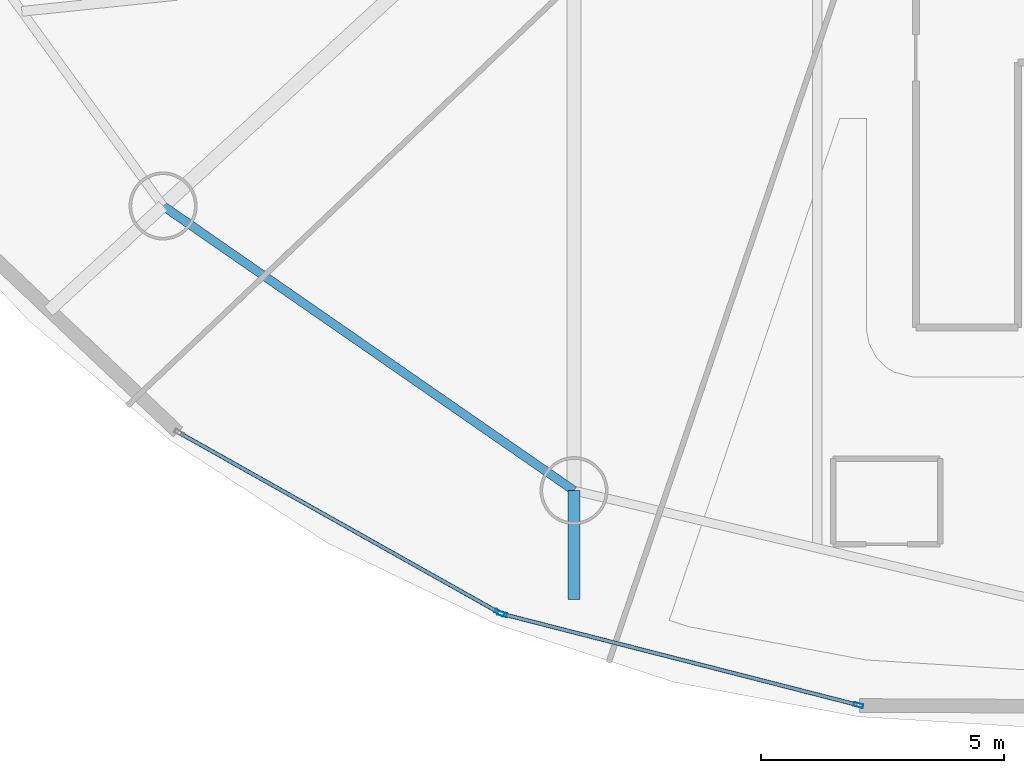
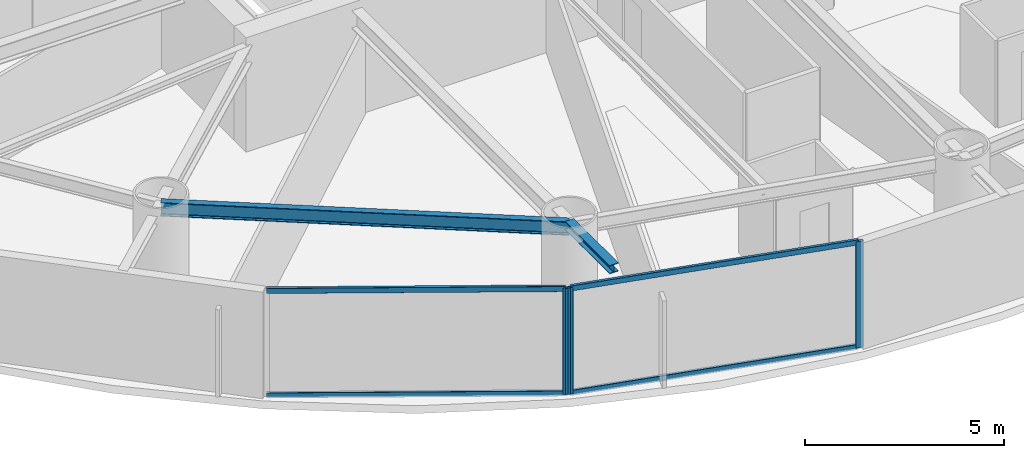
# One storey, part 3 of 22: 7 members, 2 beams, 2 elements without a shape of their own.
"""IFC4 building model written with IfcOpenShell, lengths in metres."""

import ifcopenshell
import ifcopenshell.guid

model = None  # the IFC model being written
_history = None  # IfcOwnerHistory: only IFC2X3 demands one
_inside = {}  # id of a spatial element -> (the spatial element, [elements in it])
_under = {}  # id of a project, library or spatial element -> (it, [spatial elements below it])
_declared = {}  # id of a project -> (the project, [libraries it declares])
_typed = {}  # id of a type object -> (the type object, [elements of that type])
_made_of = {}  # id of a material, layer set ... -> (it, [elements and type objects made of it])


def new_model(schema):
    """Start an empty IFC model of exactly this schema.

    Asked for "IFC4X3", IfcOpenShell would pick the latest addendum, in which some entities
    have other attributes; the version numbers below select the first issue.
    IFC2X3 requires an IfcOwnerHistory on every rooted entity: one is made here for all.
    """
    global model, _history
    if schema == "IFC4X3":
        model = ifcopenshell.file(schema_version=(4, 3, 0, 0))
    else:
        model = ifcopenshell.file(schema=schema)
    _inside.clear()
    _under.clear()
    _declared.clear()
    _typed.clear()
    _made_of.clear()
    _history = None
    if model.schema == "IFC2X3":
        org = make("IfcOrganization", Name="unknown")
        user = make(
            "IfcPersonAndOrganization",
            ThePerson=make("IfcPerson", FamilyName="unknown"),
            TheOrganization=org,
        )
        app = make(
            "IfcApplication",
            ApplicationDeveloper=org,
            Version="unknown",
            ApplicationFullName="unknown",
            ApplicationIdentifier="unknown",
        )
        _history = make(
            "IfcOwnerHistory",
            OwningUser=user,
            OwningApplication=app,
            ChangeAction="ADDED",
            CreationDate=0,
        )
    return model


def make(cls, **values):
    """One entity of the class cls with the attributes given. An attribute that is None is left unset."""
    return model.create_entity(
        cls, **{name: value for name, value in values.items() if value is not None}
    )


def rooted(cls, **values):
    """An entity with a GlobalId (a new one), such as an element, a storey or a relation."""
    return make(cls, GlobalId=ifcopenshell.guid.new(), OwnerHistory=_history, **values)


def si_unit(unit_type, name, prefix=None):
    """IfcSIUnit, for example si_unit("LENGTHUNIT", "METRE", prefix="MILLI")."""
    return make("IfcSIUnit", UnitType=unit_type, Prefix=prefix, Name=name)


def assignment(units):
    """IfcUnitAssignment: the units of a project."""
    return None if units is None else make("IfcUnitAssignment", Units=units)


def point(xyz):
    """IfcCartesianPoint."""
    return None if xyz is None else make("IfcCartesianPoint", Coordinates=xyz)


def direction(xyz):
    """IfcDirection."""
    return None if xyz is None else make("IfcDirection", DirectionRatios=xyz)


def frame(location, z_axis=None, x_axis=None):
    """IfcAxis2Placement3D, a coordinate frame: its origin and axes. An axis left out is left unset."""
    return make(
        "IfcAxis2Placement3D",
        Location=point(location),
        Axis=direction(z_axis),
        RefDirection=direction(x_axis),
    )


def frame_2d(location, x_axis=None):
    """IfcAxis2Placement2D, a coordinate frame in the plane: its origin and x axis."""
    return make(
        "IfcAxis2Placement2D", Location=point(location), RefDirection=direction(x_axis)
    )


def origin():
    """The frame at (0, 0, 0) with its axes left unset."""
    return frame((0.0, 0.0, 0.0))


def origin_2d():
    """The frame at (0, 0) in the plane with its x axis left unset."""
    return frame_2d((0.0, 0.0))


def place(relative_to, where):
    """IfcLocalPlacement: puts the frame where relative to a parent placement (None: the world)."""
    return make(
        "IfcLocalPlacement", PlacementRelTo=relative_to, RelativePlacement=where
    )


def context(
    kind, dimensions, precision=None, world=None, true_north=None, identifier=None
):
    """IfcGeometricRepresentationContext, for example the 3D "Model" context."""
    return make(
        "IfcGeometricRepresentationContext",
        ContextIdentifier=identifier,
        ContextType=kind,
        CoordinateSpaceDimension=dimensions,
        Precision=precision,
        WorldCoordinateSystem=world,
        TrueNorth=true_north,
    )


def subcontext(parent, identifier, kind, view, scale=None):
    """IfcGeometricRepresentationSubContext, for example "Body" below "Model"."""
    return make(
        "IfcGeometricRepresentationSubContext",
        ContextIdentifier=identifier,
        ContextType=kind,
        ParentContext=parent,
        TargetScale=scale,
        TargetView=view,
    )


def project(units=None, contexts=None):
    """IfcProject with its units and contexts."""
    return rooted(
        "IfcProject",
        Name="project",
        RepresentationContexts=contexts,
        UnitsInContext=assignment(units),
    )


def spatial(cls, under=None, at=None, **own):
    """A site, building, storey or space (cls), placed at a placement, below another one or the project."""
    s = rooted(cls, ObjectPlacement=at, **own)
    if under is not None:
        _under.setdefault(under.id(), (under, []))[1].append(s)
    return s


def profile(cls, at=None, kind="AREA", **sizes):
    """A parametric profile (cls). Its sizes go by their IFC names, for example OverallWidth=200.0."""
    return make(cls, ProfileType=kind, Position=at, **sizes)


def hollow_rectangle(**sizes):
    """IfcRectangleHollowProfileDef."""
    return profile("IfcRectangleHollowProfileDef", **sizes)


def i_section(**sizes):
    """IfcIShapeProfileDef."""
    return profile("IfcIShapeProfileDef", **sizes)


def extrude(swept, where, along, depth):
    """IfcExtrudedAreaSolid: the profile swept, set in the frame where, extruded along a direction by depth."""
    return make(
        "IfcExtrudedAreaSolid",
        SweptArea=swept,
        Position=where,
        ExtrudedDirection=direction(along),
        Depth=depth,
    )


def shape(context_of_items, identifier, shape_type, items):
    """IfcShapeRepresentation: the items that make up one representation, for example the "Body"."""
    return make(
        "IfcShapeRepresentation",
        ContextOfItems=context_of_items,
        RepresentationIdentifier=identifier,
        RepresentationType=shape_type,
        Items=items,
    )


def material(Name=None, Category=None):
    """IfcMaterial."""
    return make("IfcMaterial", Name=Name, Category=Category)


def layer(
    of_material, thickness, ventilated=None, Name=None, Category=None, Priority=None
):
    """IfcMaterialLayer: one layer of a wall or slab, of a material (None: an air gap)."""
    return make(
        "IfcMaterialLayer",
        Material=of_material,
        LayerThickness=thickness,
        IsVentilated=ventilated,
        Name=Name,
        Category=Category,
        Priority=Priority,
    )


def layer_set(layers, Name=None):
    """IfcMaterialLayerSet."""
    return make("IfcMaterialLayerSet", MaterialLayers=layers, LayerSetName=Name)


def material_profile(
    of_material, cross_section, Name=None, Category=None, Priority=None
):
    """IfcMaterialProfile: a cross section and its material."""
    return make(
        "IfcMaterialProfile",
        Name=Name,
        Material=of_material,
        Profile=cross_section,
        Priority=Priority,
        Category=Category,
    )


def profile_set(profiles, Name=None, composite=None):
    """IfcMaterialProfileSet."""
    return make(
        "IfcMaterialProfileSet",
        Name=Name,
        MaterialProfiles=profiles,
        CompositeProfile=composite,
    )


def made_of(thing, what):
    """Note that an element or type object is made of a material, layer set ...; save() writes the relation."""
    if what is not None:
        _made_of.setdefault(what.id(), (what, []))[1].append(thing)
    return thing


def type_object(cls, material=None, **own):
    """A type object (cls), such as IfcWallType, which elements share."""
    return made_of(rooted(cls, **own), material)


def element(
    cls,
    number,
    at=None,
    inside=None,
    cuts=None,
    type_object=None,
    material=None,
    context=None,
    identifier="Body",
    shape_type=None,
    held_by="IfcProductDefinitionShape",
    body=None,
    shapes=None,
    **own,
):
    """One element of the class cls, such as IfcWall. Its Tag is "e" and its number.

    at: its placement. inside: the storey or other place that contains it. cuts: it is an
    opening in that element (IfcRelVoidsElement). A single representation is given by context,
    identifier, shape_type and body (its items); several are given by shapes. held_by: the class
    of the entity that holds the representations. save() writes the other relations.
    """
    e = rooted(cls, Tag="e%d" % number, ObjectPlacement=at, **own)
    if body is not None:
        shapes = [shape(context, identifier, shape_type, body)]
    if shapes is not None:
        e.Representation = make(held_by, Representations=shapes)
    if inside is not None:
        _inside.setdefault(inside.id(), (inside, []))[1].append(e)
    if cuts is not None:
        rooted(
            "IfcRelVoidsElement", RelatingBuildingElement=cuts, RelatedOpeningElement=e
        )
    if type_object is not None:
        _typed.setdefault(type_object.id(), (type_object, []))[1].append(e)
    return made_of(e, material)


def aggregate(whole, parts):
    """IfcRelAggregates: a whole, such as a stair, and the parts it consists of."""
    return rooted("IfcRelAggregates", RelatingObject=whole, RelatedObjects=parts)


def save(model, path):
    """Write the relations noted so far, then the file.

    IfcRelAggregates (storeys below a building ...), IfcRelContainedInSpatialStructure (elements
    in a storey), IfcRelDefinesByType, IfcRelAssociatesMaterial and IfcRelDeclares: one each for
    every whole, place, type object, material and project.
    """
    for whole, parts in _under.values():
        aggregate(whole, parts)
    for where, things in _inside.values():
        rooted(
            "IfcRelContainedInSpatialStructure",
            RelatedElements=things,
            RelatingStructure=where,
        )
    for kind, things in _typed.values():
        rooted("IfcRelDefinesByType", RelatedObjects=things, RelatingType=kind)
    for what, things in _made_of.values():
        rooted("IfcRelAssociatesMaterial", RelatedObjects=things, RelatingMaterial=what)
    for by, libraries in _declared.values():
        rooted("IfcRelDeclares", RelatingContext=by, RelatedDefinitions=libraries)
    model.write(path)


model = new_model("IFC4")

# Units and contexts
model_context = context("Model", 3, precision=1e-05, world=origin(), true_north=direction((0.0, 1.0)))
body_context = subcontext(model_context, "Body", "Model", "MODEL_VIEW")
ifc_project = project(units=[si_unit("LENGTHUNIT", "METRE"), si_unit("AREAUNIT", "SQUARE_METRE"), si_unit("VOLUMEUNIT", "CUBIC_METRE"), si_unit("PLANEANGLEUNIT", "RADIAN"), si_unit("MASSUNIT", "GRAM", prefix="KILO")], contexts=[model_context])

# Site, building, storey
site_placement = place(None, origin())
site = spatial("IfcSite", under=ifc_project, at=site_placement, CompositionType="ELEMENT")
building_placement = place(site_placement, origin())
building = spatial("IfcBuilding", under=site, at=building_placement, Name="Bramvorn Convention Spire", CompositionType="ELEMENT")
storey_placement = place(building_placement, frame((0.0, 0.0, 120.300048828125)))
storey = spatial("IfcBuildingStorey", under=building, at=storey_placement, Name="L29", CompositionType="ELEMENT", Elevation=120.300048828125)

# Beams
ifc_material_1 = material(Name="Steel CSA G40.21 Grade 350 (350W)", Category="steel")
ifc_material_profile_1 = material_profile(ifc_material_1, i_section(OverallWidth=0.25390625, OverallDepth=0.2529296875, WebThickness=0.008544921875, FlangeThickness=0.01416015625, FilletRadius=0.011962890625, at=origin_2d()))
ifc_profile_set_1 = profile_set([ifc_material_profile_1], Name="Steel CSA G40.21 Grade 350 (350W) - W250X73")
beam_type_1 = type_object("IfcBeamType", Name="BM-W250X73", PredefinedType="BEAM", material=ifc_profile_set_1)
beam_1_placement = place(storey_placement, frame((29.917236328125, 7.845947265625, 3.133544921875), z_axis=(0.0, -1.0, 0.0), x_axis=(1.0, 0.0, 0.0)))
element("IfcBeam", 1, at=beam_1_placement, inside=storey, type_object=beam_type_1, Name="L29 slab-edge cantilever tip beam MC13", PredefinedType="BEAM", context=body_context, shape_type="SweptSolid", body=[
    extrude(i_section(OverallWidth=0.25390625, OverallDepth=0.2529296875, WebThickness=0.008544921875, FlangeThickness=0.01416015625, FilletRadius=0.011962890625, at=origin_2d()), origin(), (0.0, 0.0, 1.0), 2.239013671875),
])
ifc_material_profile_2 = material_profile(ifc_material_1, i_section(OverallWidth=0.180908203125, OverallDepth=0.4169921875, WebThickness=0.010986328125, FlangeThickness=0.018310546875, FilletRadius=0.01611328125, at=origin_2d()))
ifc_profile_set_2 = profile_set([ifc_material_profile_2], Name="Steel CSA G40.21 Grade 350 (350W) - W410X85")
beam_type_2 = type_object("IfcBeamType", Name="BM-W410X85", PredefinedType="JOIST", material=ifc_profile_set_2)
beam_2_placement = place(storey_placement, frame((21.465087890625, 13.700927734375, 3.051513671875), z_axis=(0.822033166673, -0.569439613032, 0.0), x_axis=(0.569439613032, 0.822033166673, 0.0)))
element("IfcBeam", 2, at=beam_2_placement, inside=storey, type_object=beam_type_2, Name="L29 mega-column ring beam 12", PredefinedType="JOIST", context=body_context, shape_type="SweptSolid", body=[
    extrude(i_section(OverallWidth=0.180908203125, OverallDepth=0.4169921875, WebThickness=0.010986328125, FlangeThickness=0.018310546875, FilletRadius=0.01611328125, at=origin_2d()), origin(), (0.0, 0.0, 1.0), 10.281982421875),
])

# Curtain wall, member
ifc_material_2 = material(Name="Anodised Bronze Unitised Curtain Wall", Category="aluminium")
ifc_layer = layer(ifc_material_2, 0.179931640625)
ifc_layer_set = layer_set([ifc_layer], Name="Anodised Bronze Unitised Curtain Wall - CW-HTL-FRIT")
curtain_wall_type = type_object("IfcCurtainWallType", Name="CW-HTL-FRIT", PredefinedType="USERDEFINED", material=ifc_layer_set)
curtain_wall_1_placement = place(storey_placement, origin())
curtain_wall_1 = element("IfcCurtainWall", 3, at=curtain_wall_1_placement, inside=storey, type_object=curtain_wall_type, Name="L29 fritted glass curtain wall 18", ObjectType="UNITISED CURTAIN WALL", PredefinedType="USERDEFINED")
ifc_material_3 = material(Name="Anodised Bronze Aluminium 6063-T6", Category="aluminium")
ifc_material_profile_3 = material_profile(ifc_material_3, hollow_rectangle(XDim=0.080078125, YDim=0.199951171875, WallThickness=0.00390625, InnerFilletRadius=0.0009765625, OuterFilletRadius=0.00390625, at=origin_2d()))
ifc_profile_set_3 = profile_set([ifc_material_profile_3], Name="Anodised Bronze Aluminium 6063-T6 - CWM80X200")
member_type_1 = type_object("IfcMemberType", Name="CW-MUL-180", PredefinedType="MULLION", material=ifc_profile_set_3)
member_1_placement = place(storey_placement, frame((28.386962890625, 5.330322265625, 0.0), z_axis=(0.0, 0.0, 1.0), x_axis=(-0.490107284119, -0.871662119203, 0.0)))
member_1 = element("IfcMember", 4, at=member_1_placement, type_object=member_type_1, Name="CW2 mullion 1", PredefinedType="MULLION", context=body_context, shape_type="SweptSolid", body=[
    extrude(hollow_rectangle(XDim=0.080078125, YDim=0.199951171875, WallThickness=0.00390625, InnerFilletRadius=0.0009765625, OuterFilletRadius=0.00390625, at=origin_2d()), origin(), (0.0, 0.0, 1.0), 3.260009765625),
])

# Curtain wall, members
curtain_wall_2_placement = place(storey_placement, origin())
curtain_wall_2 = element("IfcCurtainWall", 5, at=curtain_wall_2_placement, inside=storey, type_object=curtain_wall_type, Name="L29 fritted glass curtain wall 19", ObjectType="UNITISED CURTAIN WALL", PredefinedType="USERDEFINED")
member_2_placement = place(storey_placement, frame((35.763671875, 3.434814453125, 0.0), z_axis=(0.0, 0.0, 1.0), x_axis=(-0.247878810446, -0.968791048334, 0.0)))
member_2 = element("IfcMember", 6, at=member_2_placement, type_object=member_type_1, Name="CW2 mullion 1", PredefinedType="MULLION", context=body_context, shape_type="SweptSolid", body=[
    extrude(hollow_rectangle(XDim=0.080078125, YDim=0.199951171875, WallThickness=0.00390625, InnerFilletRadius=0.0009765625, OuterFilletRadius=0.00390625, at=origin_2d()), origin(), (0.0, 0.0, 1.0), 3.260009765625),
])
member_3_placement = place(storey_placement, frame((28.442138671875, 5.308349609375, 0.0), z_axis=(0.0, 0.0, 1.0), x_axis=(-0.247878810446, -0.968791048334, 0.0)))
member_3 = element("IfcMember", 7, at=member_3_placement, type_object=member_type_1, Name="CW2 mullion 2", PredefinedType="MULLION", context=body_context, shape_type="SweptSolid", body=[
    extrude(hollow_rectangle(XDim=0.080078125, YDim=0.199951171875, WallThickness=0.00390625, InnerFilletRadius=0.0009765625, OuterFilletRadius=0.00390625, at=origin_2d()), origin(), (0.0, 0.0, 1.0), 3.260009765625),
])

# Member
ifc_material_profile_4 = material_profile(ifc_material_3, hollow_rectangle(XDim=0.080078125, YDim=0.159912109375, WallThickness=0.00390625, InnerFilletRadius=0.0009765625, OuterFilletRadius=0.00390625, at=origin_2d()))
ifc_profile_set_4 = profile_set([ifc_material_profile_4], Name="Anodised Bronze Aluminium 6063-T6 - CWT80X160")
member_type_2 = type_object("IfcMemberType", Name="CW-TRN-150", PredefinedType="USERDEFINED", material=ifc_profile_set_4)
member_4_placement = place(storey_placement, frame((28.36083984375, 5.34521484375, 0.030029296875), z_axis=(-0.871666832415, 0.490098901516, 0.0), x_axis=(-0.490098901516, -0.871666832415, 0.0)))
member_4 = element("IfcMember", 8, at=member_4_placement, type_object=member_type_2, Name="CW2 transom 1.1", ObjectType="TRANSOM", PredefinedType="USERDEFINED", context=body_context, shape_type="SweptSolid", body=[
    extrude(hollow_rectangle(XDim=0.080078125, YDim=0.159912109375, WallThickness=0.00390625, InnerFilletRadius=0.0009765625, OuterFilletRadius=0.00390625, at=origin_2d()), origin(), (0.0, 0.0, 1.0), 7.49755859375),
])

member_5_placement = place(storey_placement, frame((28.36083984375, 5.34521484375, 3.22998046875), z_axis=(-0.871666832415, 0.490098901516, 0.0), x_axis=(-0.490098901516, -0.871666832415, 0.0)))
member_5 = element("IfcMember", 9, at=member_5_placement, type_object=member_type_2, Name="CW2 transom 1.2", ObjectType="TRANSOM", PredefinedType="USERDEFINED", context=body_context, shape_type="SweptSolid", body=[
    extrude(hollow_rectangle(XDim=0.080078125, YDim=0.159912109375, WallThickness=0.00390625, InnerFilletRadius=0.0009765625, OuterFilletRadius=0.00390625, at=origin_2d()), origin(), (0.0, 0.0, 1.0), 7.49755859375),
])

aggregate(curtain_wall_1, [member_1, member_4, member_5])

member_6_placement = place(storey_placement, frame((35.734619140625, 3.4423828125, 0.030029296875), z_axis=(-0.968792703264, 0.24787234235, 0.0), x_axis=(-0.24787234235, -0.968792703264, 0.0)))
member_6 = element("IfcMember", 10, at=member_6_placement, type_object=member_type_2, Name="CW2 transom 1.1", ObjectType="TRANSOM", PredefinedType="USERDEFINED", context=body_context, shape_type="SweptSolid", body=[
    extrude(hollow_rectangle(XDim=0.080078125, YDim=0.159912109375, WallThickness=0.00390625, InnerFilletRadius=0.0009765625, OuterFilletRadius=0.00390625, at=origin_2d()), origin(), (0.0, 0.0, 1.0), 7.497314453125),
])

member_7_placement = place(storey_placement, frame((35.734619140625, 3.4423828125, 3.22998046875), z_axis=(-0.968792703264, 0.24787234235, 0.0), x_axis=(-0.24787234235, -0.968792703264, 0.0)))
member_7 = element("IfcMember", 11, at=member_7_placement, type_object=member_type_2, Name="CW2 transom 1.2", ObjectType="TRANSOM", PredefinedType="USERDEFINED", context=body_context, shape_type="SweptSolid", body=[
    extrude(hollow_rectangle(XDim=0.080078125, YDim=0.159912109375, WallThickness=0.00390625, InnerFilletRadius=0.0009765625, OuterFilletRadius=0.00390625, at=origin_2d()), origin(), (0.0, 0.0, 1.0), 7.497314453125),
])

aggregate(curtain_wall_2, [member_2, member_3, member_6, member_7])

save(model, "model.ifc")
